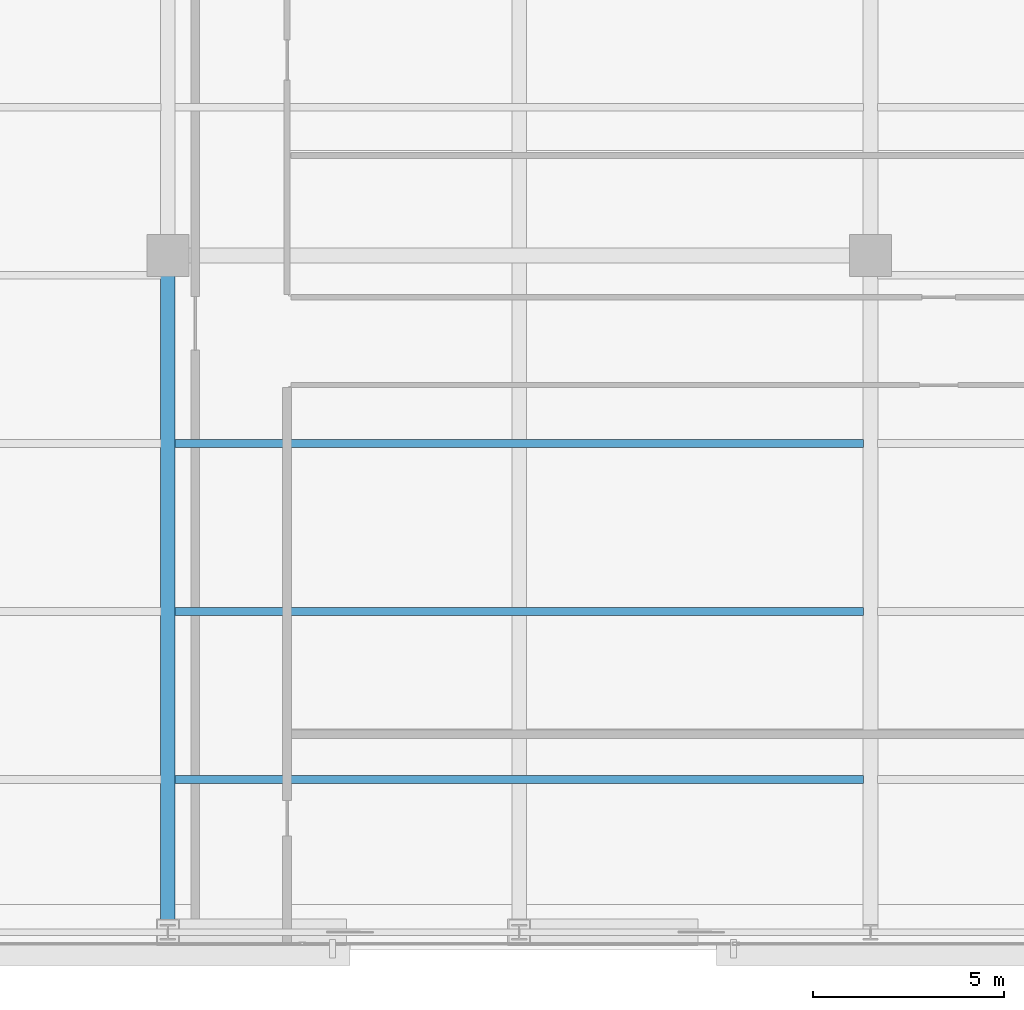
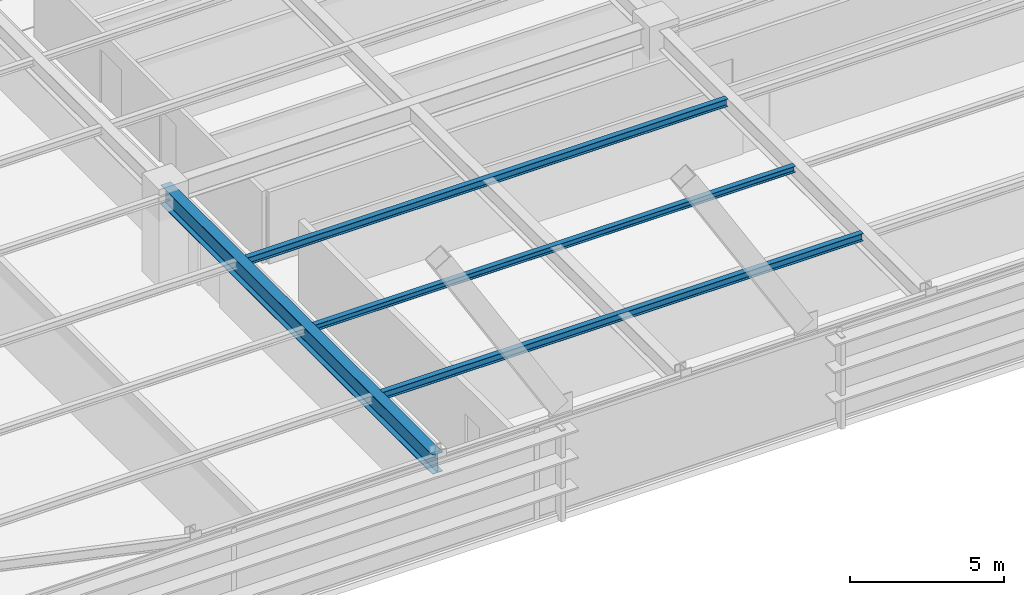
# One storey, part 7 of 35: 4 beams.
"""IFC4 building model written with IfcOpenShell, lengths in metres."""

from ifc_helpers import new_model, si_unit, direction, frame, origin, origin_2d, place, context, subcontext, project, spatial, i_section, extrude, source, transform, mapped, material, material_profile, profile_set, type_object, type_shapes, element, save


model = new_model("IFC4")

# Units and contexts
model_context = context("Model", 3, precision=1e-05, world=origin(), true_north=direction((0.0, 1.0)))
body_context = subcontext(model_context, "Body", "Model", "MODEL_VIEW")
ifc_project = project(units=[si_unit("LENGTHUNIT", "METRE"), si_unit("AREAUNIT", "SQUARE_METRE"), si_unit("VOLUMEUNIT", "CUBIC_METRE"), si_unit("PLANEANGLEUNIT", "RADIAN"), si_unit("MASSUNIT", "GRAM", prefix="KILO")], contexts=[model_context])

# Site, building, storey
site_placement = place(None, origin())
site = spatial("IfcSite", under=ifc_project, at=site_placement, CompositionType="ELEMENT")
building_placement = place(site_placement, origin())
building = spatial("IfcBuilding", under=site, at=building_placement, Name="Varnel Quay Broadcast Tower", CompositionType="ELEMENT")
storey_placement = place(building_placement, frame((0.0, 0.0, 31.5)))
storey = spatial("IfcBuildingStorey", under=building, at=storey_placement, Name="L06", CompositionType="ELEMENT", Elevation=31.5)

# Beams
ifc_material = material(Name="Structural Steel CSA G40.21 350W", Category="steel")
ifc_material_profile_1 = material_profile(ifc_material, i_section(OverallWidth=0.381103515625, OverallDepth=0.77294921875, WebThickness=0.0166015625, FlangeThickness=0.027587890625, FilletRadius=0.01806640625, at=origin_2d()), Name="W760X257")
ifc_profile_set_1 = profile_set([ifc_material_profile_1], Name="Structural Steel CSA G40.21 350W")
beam_type_1 = type_object("IfcBeamType", Name="Girder_W760X257", PredefinedType="BEAM", material=ifc_profile_set_1)
shared_shape_1 = source(origin(), body_context, "Body", "SweptSolid", [
    extrude(i_section(OverallWidth=0.381103515625, OverallDepth=0.77294921875, WebThickness=0.0166015625, FlangeThickness=0.027587890625, FilletRadius=0.01806640625, at=origin_2d()), origin(), (0.0, 0.0, 1.0), 17.68017578125),
])
type_shapes(beam_type_1, [shared_shape_1])
beam_1_placement = place(storey_placement, frame((24.800048828125, 1.669921875, 3.263427734375), z_axis=(0.0, 1.0, 0.0), x_axis=(-1.0, 0.0, 0.0)))
element("IfcBeam", 1, at=beam_1_placement, inside=storey, type_object=beam_type_1, Name="L06 Primary Girder TC-S2-IC-01", PredefinedType="BEAM", context=body_context, shape_type="MappedRepresentation", body=[
    mapped(shared_shape_1, transform((0.0, 0.0, 0.0), x_axis=(1.0, 0.0, 0.0), y_axis=(0.0, 1.0, 0.0), z_axis=(0.0, 0.0, 1.0), scale=1.0)),
])
ifc_material_profile_2 = material_profile(ifc_material, i_section(OverallWidth=0.202880859375, OverallDepth=0.302978515625, WebThickness=0.007568359375, FlangeThickness=0.01318359375, FilletRadius=0.011962890625, at=origin_2d()), Name="W310X60")
ifc_profile_set_2 = profile_set([ifc_material_profile_2], Name="Structural Steel CSA G40.21 350W")
beam_type_2 = type_object("IfcBeamType", Name="Beam_W310X60", PredefinedType="JOIST", material=ifc_profile_set_2)
shared_shape_2 = source(origin(), body_context, "Body", "SweptSolid", [
    extrude(i_section(OverallWidth=0.202880859375, OverallDepth=0.302978515625, WebThickness=0.007568359375, FlangeThickness=0.01318359375, FilletRadius=0.011962890625, at=origin_2d()), origin(), (0.0, 0.0, 1.0), 18.02880859375),
])
type_shapes(beam_type_2, [shared_shape_2])
for number, where, z_axis, x_axis, name in (
    (2, (24.985595703125, 5.64990234375, 3.49853515625), (1.0, 0.0, 0.0), (0.0, 1.0, 0.0), "L06 Central Floor Joist 1"),
    (3, (24.985595703125, 14.449951171875, 3.49853515625), (1.0, 0.0, 0.0), (0.0, 1.0, 0.0), "L06 Central Floor Joist 3"),
):
    element("IfcBeam", number, at=place(storey_placement, frame(where, z_axis=z_axis, x_axis=x_axis)), inside=storey, type_object=beam_type_2, Name=name, PredefinedType="JOIST", context=body_context, shape_type="MappedRepresentation", body=[
        mapped(shared_shape_2, transform((0.0, 0.0, 0.0), x_axis=(1.0, 0.0, 0.0), y_axis=(0.0, 1.0, 0.0), z_axis=(0.0, 0.0, 1.0), scale=1.0)),
    ])
ifc_material_profile_3 = material_profile(ifc_material, i_section(OverallWidth=0.201904296875, OverallDepth=0.2470703125, WebThickness=0.00732421875, FlangeThickness=0.010986328125, FilletRadius=0.010986328125, at=origin_2d()), Name="W250X49")
ifc_profile_set_3 = profile_set([ifc_material_profile_3], Name="Structural Steel CSA G40.21 350W")
beam_type_3 = type_object("IfcBeamType", Name="Beam_W250X49", PredefinedType="JOIST", material=ifc_profile_set_3)
shared_shape_3 = source(origin(), body_context, "Body", "SweptSolid", [
    extrude(i_section(OverallWidth=0.201904296875, OverallDepth=0.2470703125, WebThickness=0.00732421875, FlangeThickness=0.010986328125, FilletRadius=0.010986328125, at=origin_2d()), origin(), (0.0, 0.0, 1.0), 18.02880859375),
])
type_shapes(beam_type_3, [shared_shape_3])
beam_2_placement = place(storey_placement, frame((24.985595703125, 10.050048828125, 3.526611328125), z_axis=(1.0, 0.0, 0.0), x_axis=(0.0, 1.0, 0.0)))
element("IfcBeam", 4, at=beam_2_placement, inside=storey, type_object=beam_type_3, Name="L06 Central Floor Joist 2", PredefinedType="JOIST", context=body_context, shape_type="MappedRepresentation", body=[
    mapped(shared_shape_3, transform((0.0, 0.0, 0.0), x_axis=(1.0, 0.0, 0.0), y_axis=(0.0, 1.0, 0.0), z_axis=(0.0, 0.0, 1.0), scale=1.0)),
])

save(model, "model.ifc")
